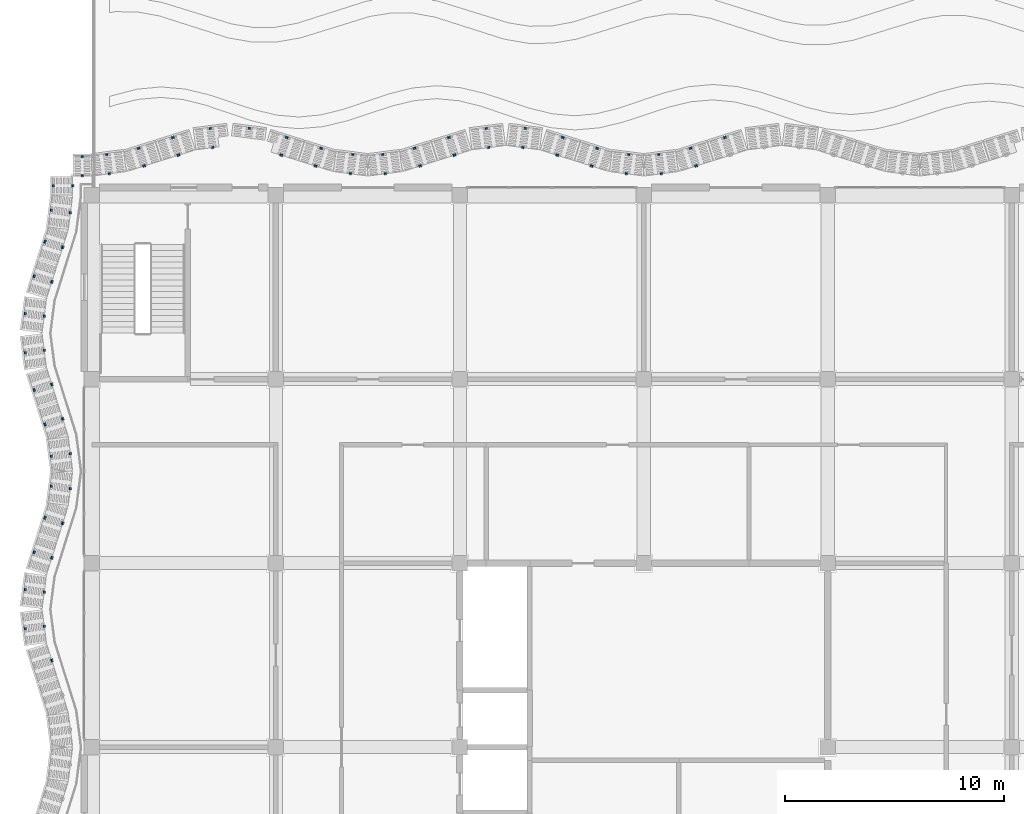
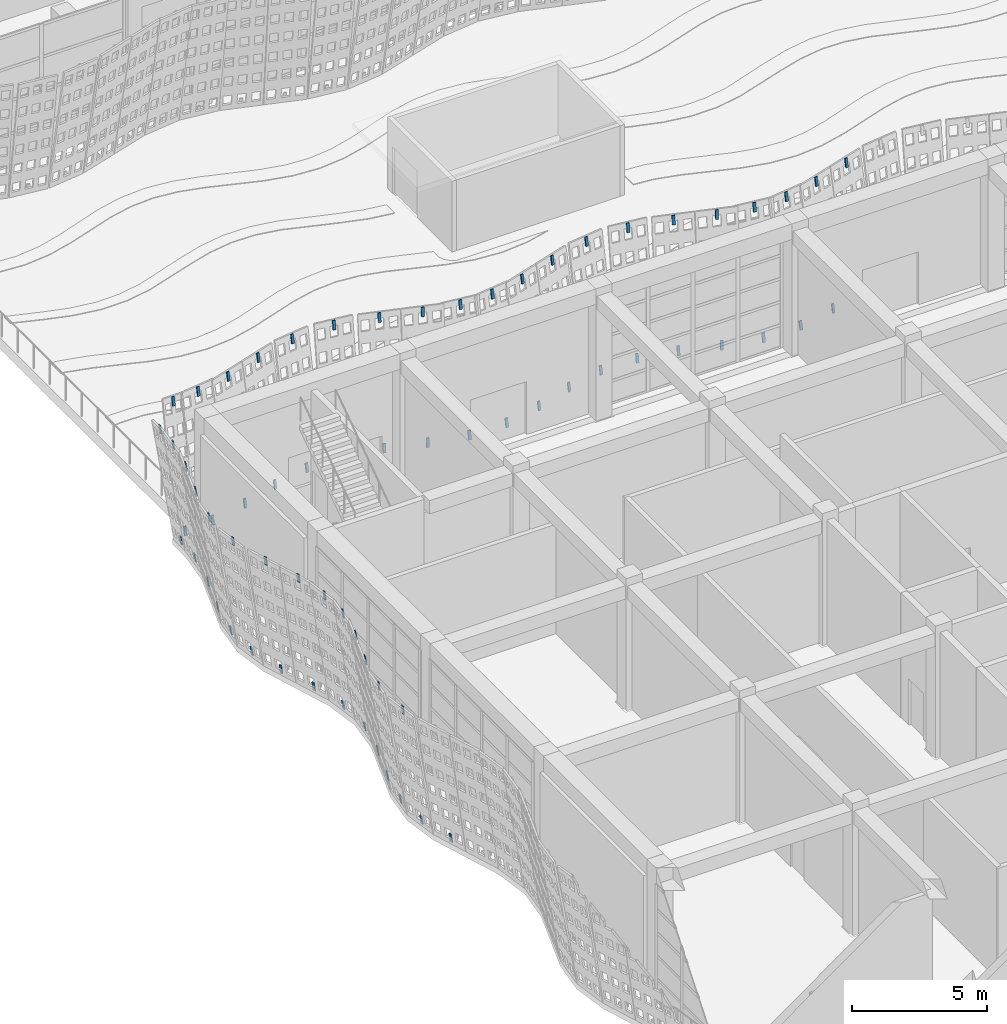
# One storey, part 137 of 210: 67 discrete accessories.
"""IFC4 building model written with IfcOpenShell, lengths in metres."""

from ifc_helpers import new_model, si_unit, direction, frame, origin, origin_2d, place, context, subcontext, project, spatial, rectangle, extrude, material, material_profile, profile_set, type_object, element, save


model = new_model("IFC4")

# Units and contexts
model_context = context("Model", 3, precision=1e-05, world=origin(), true_north=direction((0.0, 1.0)))
body_context = subcontext(model_context, "Body", "Model", "MODEL_VIEW")
ifc_project = project(units=[si_unit("LENGTHUNIT", "METRE"), si_unit("AREAUNIT", "SQUARE_METRE"), si_unit("VOLUMEUNIT", "CUBIC_METRE"), si_unit("PLANEANGLEUNIT", "RADIAN"), si_unit("MASSUNIT", "GRAM", prefix="KILO")], contexts=[model_context])

# Site, building, storey
site_placement = place(None, origin())
site = spatial("IfcSite", under=ifc_project, at=site_placement, CompositionType="ELEMENT")
building_placement = place(site_placement, origin())
building = spatial("IfcBuilding", under=site, at=building_placement, Name="Rain Tree Exposition and Congress Centre", CompositionType="ELEMENT")
storey_placement = place(building_placement, origin())
storey = spatial("IfcBuildingStorey", under=building, at=storey_placement, Name="L00", CompositionType="ELEMENT", Elevation=0.0)

# Discrete accessories
ifc_material = material(Name="Steel S355J2", Category="steel")
ifc_material_profile = material_profile(ifc_material, rectangle(XDim=0.1201171875, YDim=0.050048828125, at=origin_2d()), Name="Flat bar 120x50")
ifc_profile_set = profile_set([ifc_material_profile], Name="Steel S355J2")
discrete_accessory_type = type_object("IfcDiscreteAccessoryType", Name="Screen bracket 120x50", PredefinedType="BRACKET", material=ifc_profile_set)
for number, where, z_axis, x_axis, name in (
    (1, (28.91259765625, 53.001708984375, 5.35107421875), (-0.047005524996, 0.148952572715, 0.987726486281), (-0.953641715318, -0.300944311801, 0.0), "wing/bracket/L00/0821t"),
    (2, (27.3408203125, 52.5078125, 5.35107421875), (-0.047005524996, 0.148952572715, 0.987726486281), (-0.953641715318, -0.300944311801, 0.0), "wing/bracket/L00/0831t"),
    (3, (27.593505859375, 51.70361328125, 0.00390625), (-0.046400597335, 0.148359804637, 0.987844295896), (-0.954410065476, -0.298498621301, 0.0), "wing/bracket/L00/0831b"),
    (4, (25.8876953125, 52.21875, 5.351318359375), (-0.020751433487, 0.159908105102, 0.986913763168), (-0.991684624977, -0.128691897898, 0.0), "wing/bracket/L00/0841t"),
):
    element("IfcDiscreteAccessory", number, at=place(storey_placement, frame(where, z_axis=z_axis, x_axis=x_axis)), inside=storey, type_object=discrete_accessory_type, Name=name, PredefinedType="BRACKET", context=body_context, shape_type="SweptSolid", body=[
        extrude(rectangle(XDim=0.1201171875, YDim=0.050048828125, at=origin_2d()), origin(), (0.0, 0.0, 1.0), 0.39990234375),
    ])
discrete_accessory_1_placement = place(storey_placement, frame((26.0009765625, 51.349609375, 0.00390625), z_axis=(-0.021359406786, 0.160500685277, 0.986804593507), x_axis=(-0.991260787426, -0.131916834829, 0.0)))
element("IfcDiscreteAccessory", 5, at=discrete_accessory_1_placement, inside=storey, type_object=discrete_accessory_type, Name="wing/bracket/L00/0841b", PredefinedType="BRACKET", context=body_context, shape_type="SweptSolid", body=[
    extrude(rectangle(XDim=0.1201171875, YDim=0.050048828125, at=origin_2d()), origin(), (0.0, 0.0, 1.0), 0.400146484375),
])
discrete_accessory_2_placement = place(storey_placement, frame((24.51220703125, 52.21875, 5.351318359375), z_axis=(0.020751433487, 0.159908105102, 0.986913763168), x_axis=(-0.991684624977, 0.128691897898, 0.0)))
element("IfcDiscreteAccessory", 6, at=discrete_accessory_2_placement, inside=storey, type_object=discrete_accessory_type, Name="wing/bracket/L00/0851t", PredefinedType="BRACKET", context=body_context, shape_type="SweptSolid", body=[
    extrude(rectangle(XDim=0.1201171875, YDim=0.050048828125, at=origin_2d()), origin(), (0.0, 0.0, 1.0), 0.39990234375),
])
discrete_accessory_3_placement = place(storey_placement, frame((24.399169921875, 51.349609375, 0.00390625), z_axis=(0.020749404626, 0.160502747552, 0.986817272972), x_axis=(-0.991746960377, 0.128210633661, 0.0)))
element("IfcDiscreteAccessory", 7, at=discrete_accessory_3_placement, inside=storey, type_object=discrete_accessory_type, Name="wing/bracket/L00/0851b", PredefinedType="BRACKET", context=body_context, shape_type="SweptSolid", body=[
    extrude(rectangle(XDim=0.1201171875, YDim=0.050048828125, at=origin_2d()), origin(), (0.0, 0.0, 1.0), 0.400146484375),
])
for number, where, z_axis, x_axis, name in (
    (8, (23.05908203125, 52.5078125, 5.35107421875), (0.047005524996, 0.148952572715, 0.987726486281), (-0.953641715318, 0.300944311801, 0.0), "wing/bracket/L00/0861t"),
    (9, (22.806396484375, 51.70361328125, 0.00390625), (0.047009791021, 0.14835557426, 0.987816128201), (-0.953285755706, 0.302069971973, 0.0), "wing/bracket/L00/0861b"),
    (10, (21.487548828125, 53.001708984375, 5.35107421875), (0.046396386353, 0.148956819344, 0.987754646309), (-0.954758063246, 0.297383659044, 0.0), "wing/bracket/L00/0871t"),
    (11, (21.23486328125, 52.197509765625, 0.00390625), (0.046396386353, 0.148956819344, 0.987754646309), (-0.954758063246, 0.297383659044, 0.0), "wing/bracket/L00/0871b"),
):
    element("IfcDiscreteAccessory", number, at=place(storey_placement, frame(where, z_axis=z_axis, x_axis=x_axis)), inside=storey, type_object=discrete_accessory_type, Name=name, PredefinedType="BRACKET", context=body_context, shape_type="SweptSolid", body=[
        extrude(rectangle(XDim=0.1201171875, YDim=0.050048828125, at=origin_2d()), origin(), (0.0, 0.0, 1.0), 0.39990234375),
    ])
for number, where, z_axis, x_axis, name in (
    (12, (19.788818359375, 53.413330078125, 5.351318359375), (0.021359406786, 0.160500685277, 0.986804593507), (-0.991260787426, 0.131916834829, 0.0), "wing/bracket/L00/0881t"),
    (13, (19.67578125, 52.54443359375, 0.00390625), (0.020749404626, 0.160502747552, 0.986817272972), (-0.991746960377, 0.128210633661, 0.0), "wing/bracket/L00/0881b"),
    (14, (18.010986328125, 53.413330078125, 5.351318359375), (-0.020749404626, 0.160502747552, 0.986817272972), (-0.991746960377, -0.128210633661, 0.0), "wing/bracket/L00/0891t"),
    (15, (18.124267578125, 52.54443359375, 0.00390625), (-0.020749404626, 0.160502747552, 0.986817272972), (-0.991746960377, -0.128210633661, 0.0), "wing/bracket/L00/0891b"),
):
    element("IfcDiscreteAccessory", number, at=place(storey_placement, frame(where, z_axis=z_axis, x_axis=x_axis)), inside=storey, type_object=discrete_accessory_type, Name=name, PredefinedType="BRACKET", context=body_context, shape_type="SweptSolid", body=[
        extrude(rectangle(XDim=0.1201171875, YDim=0.050048828125, at=origin_2d()), origin(), (0.0, 0.0, 1.0), 0.400146484375),
    ])
for number, where, z_axis, x_axis, name in (
    (16, (16.3125, 53.001708984375, 5.35107421875), (-0.047005524996, 0.148952572715, 0.987726486281), (-0.953641715318, -0.300944311801, 0.0), "wing/bracket/L00/0901t"),
    (17, (16.565185546875, 52.197509765625, 0.00390625), (-0.046396386353, 0.148956819344, 0.987754646309), (-0.954758063246, -0.297383659044, 0.0), "wing/bracket/L00/0901b"),
    (18, (14.74072265625, 52.5078125, 5.35107421875), (-0.046396386353, 0.148956819344, 0.987754646309), (-0.954758063246, -0.297383659044, 0.0), "wing/bracket/L00/0911t"),
    (19, (14.99365234375, 51.70361328125, 0.00390625), (-0.047009791021, 0.14835557426, 0.987816128201), (-0.953285755706, -0.302069971973, 0.0), "wing/bracket/L00/0911b"),
    (20, (13.287841796875, 52.21875, 5.351318359375), (-0.021361495238, 0.159906050065, 0.986901079984), (-0.991194828778, -0.132411522928, 0.0), "wing/bracket/L00/0921t"),
):
    element("IfcDiscreteAccessory", number, at=place(storey_placement, frame(where, z_axis=z_axis, x_axis=x_axis)), inside=storey, type_object=discrete_accessory_type, Name=name, PredefinedType="BRACKET", context=body_context, shape_type="SweptSolid", body=[
        extrude(rectangle(XDim=0.1201171875, YDim=0.050048828125, at=origin_2d()), origin(), (0.0, 0.0, 1.0), 0.39990234375),
    ])
discrete_accessory_4_placement = place(storey_placement, frame((13.40087890625, 51.349609375, 0.00390625), z_axis=(-0.020749404626, 0.160502747552, 0.986817272972), x_axis=(-0.991746960377, -0.128210633661, 0.0)))
element("IfcDiscreteAccessory", 21, at=discrete_accessory_4_placement, inside=storey, type_object=discrete_accessory_type, Name="wing/bracket/L00/0921b", PredefinedType="BRACKET", context=body_context, shape_type="SweptSolid", body=[
    extrude(rectangle(XDim=0.1201171875, YDim=0.050048828125, at=origin_2d()), origin(), (0.0, 0.0, 1.0), 0.400146484375),
])
discrete_accessory_5_placement = place(storey_placement, frame((11.912109375, 52.21875, 5.351318359375), z_axis=(0.021361495238, 0.159906050065, 0.986901079984), x_axis=(-0.991194828778, 0.132411522928, 0.0)))
element("IfcDiscreteAccessory", 22, at=discrete_accessory_5_placement, inside=storey, type_object=discrete_accessory_type, Name="wing/bracket/L00/0931t", PredefinedType="BRACKET", context=body_context, shape_type="SweptSolid", body=[
    extrude(rectangle(XDim=0.1201171875, YDim=0.050048828125, at=origin_2d()), origin(), (0.0, 0.0, 1.0), 0.39990234375),
])
discrete_accessory_6_placement = place(storey_placement, frame((11.799072265625, 51.349609375, 0.00390625), z_axis=(0.021359406786, 0.160500685277, 0.986804593507), x_axis=(-0.991260787426, 0.131916834829, 0.0)))
element("IfcDiscreteAccessory", 23, at=discrete_accessory_6_placement, inside=storey, type_object=discrete_accessory_type, Name="wing/bracket/L00/0931b", PredefinedType="BRACKET", context=body_context, shape_type="SweptSolid", body=[
    extrude(rectangle(XDim=0.1201171875, YDim=0.050048828125, at=origin_2d()), origin(), (0.0, 0.0, 1.0), 0.400146484375),
])
for number, where, z_axis, x_axis, name in (
    (24, (10.459228515625, 52.5078125, 5.35107421875), (0.046396386353, 0.148956819344, 0.987754646309), (-0.954758063246, 0.297383659044, 0.0), "wing/bracket/L00/0941t"),
    (25, (10.206298828125, 51.70361328125, 0.00390625), (0.047009791021, 0.14835557426, 0.987816128201), (-0.953285755706, 0.302069971973, 0.0), "wing/bracket/L00/0941b"),
    (26, (8.887451171875, 53.001708984375, 5.35107421875), (0.047005524996, 0.148952572715, 0.987726486281), (-0.953641715318, 0.300944311801, 0.0), "wing/bracket/L00/0951t"),
    (27, (8.634765625, 52.197509765625, 0.00390625), (0.046396386353, 0.148956819344, 0.987754646309), (-0.954758063246, 0.297383659044, 0.0), "wing/bracket/L00/0951b"),
):
    element("IfcDiscreteAccessory", number, at=place(storey_placement, frame(where, z_axis=z_axis, x_axis=x_axis)), inside=storey, type_object=discrete_accessory_type, Name=name, PredefinedType="BRACKET", context=body_context, shape_type="SweptSolid", body=[
        extrude(rectangle(XDim=0.1201171875, YDim=0.050048828125, at=origin_2d()), origin(), (0.0, 0.0, 1.0), 0.39990234375),
    ])
for number, where, z_axis, x_axis, name in (
    (28, (7.18896484375, 53.413330078125, 5.351318359375), (0.020749404626, 0.160502747552, 0.986817272972), (-0.991746960377, 0.128210633661, 0.0), "wing/bracket/L00/0961t"),
    (29, (5.4111328125, 53.413330078125, 5.351318359375), (-0.021359406786, 0.160500685277, 0.986804593507), (-0.991260787426, -0.131916834829, 0.0), "wing/bracket/L00/0971t"),
    (30, (5.524169921875, 52.54443359375, 0.00390625), (-0.020749404626, 0.160502747552, 0.986817272972), (-0.991746960377, -0.128210633661, 0.0), "wing/bracket/L00/0971b"),
):
    element("IfcDiscreteAccessory", number, at=place(storey_placement, frame(where, z_axis=z_axis, x_axis=x_axis)), inside=storey, type_object=discrete_accessory_type, Name=name, PredefinedType="BRACKET", context=body_context, shape_type="SweptSolid", body=[
        extrude(rectangle(XDim=0.1201171875, YDim=0.050048828125, at=origin_2d()), origin(), (0.0, 0.0, 1.0), 0.400146484375),
    ])
for number, where, z_axis, x_axis, name in (
    (31, (3.71240234375, 53.001708984375, 5.35107421875), (-0.046396386353, 0.148956819344, 0.987754646309), (-0.954758063246, -0.297383659044, 0.0), "wing/bracket/L00/0981t"),
    (32, (3.965087890625, 52.197509765625, 0.00390625), (-0.046396386353, 0.148956819344, 0.987754646309), (-0.954758063246, -0.297383659044, 0.0), "wing/bracket/L00/0981b"),
    (33, (2.140869140625, 52.5078125, 5.35107421875), (-0.047005524996, 0.148952572715, 0.987726486281), (-0.953641715318, -0.300944311801, 0.0), "wing/bracket/L00/0991t"),
    (34, (2.3935546875, 51.70361328125, 0.00390625), (-0.046400597335, 0.148359804637, 0.987844295896), (-0.954410065476, -0.298498621301, 0.0), "wing/bracket/L00/0991b"),
    (35, (0.687744140625, 52.21875, 5.351318359375), (-0.020751433487, 0.159908105102, 0.986913763168), (-0.991684624977, -0.128691897898, 0.0), "wing/bracket/L00/1001t"),
):
    element("IfcDiscreteAccessory", number, at=place(storey_placement, frame(where, z_axis=z_axis, x_axis=x_axis)), inside=storey, type_object=discrete_accessory_type, Name=name, PredefinedType="BRACKET", context=body_context, shape_type="SweptSolid", body=[
        extrude(rectangle(XDim=0.1201171875, YDim=0.050048828125, at=origin_2d()), origin(), (0.0, 0.0, 1.0), 0.39990234375),
    ])
discrete_accessory_7_placement = place(storey_placement, frame((0.80078125, 51.349609375, 0.00390625), z_axis=(-0.020749404626, 0.160502747552, 0.986817272972), x_axis=(-0.991746960377, -0.128210633661, 0.0)))
element("IfcDiscreteAccessory", 36, at=discrete_accessory_7_placement, inside=storey, type_object=discrete_accessory_type, Name="wing/bracket/L00/1001b", PredefinedType="BRACKET", context=body_context, shape_type="SweptSolid", body=[
    extrude(rectangle(XDim=0.1201171875, YDim=0.050048828125, at=origin_2d()), origin(), (0.0, 0.0, 1.0), 0.400146484375),
])
for number, where, z_axis, x_axis, name in (
    (37, (-0.43505859375, 52.1298828125, 5.351318359375), (0.0, 0.163606968355, 0.986525600228), (-1.0, 0.0, 0.0), "wing/bracket/L00/1011t"),
    (38, (-0.43505859375, 51.246337890625, 0.004150390625), (0.0, 0.163012746375, 0.986623963078), (-1.0, 0.0, 0.0), "wing/bracket/L00/1011b"),
    (39, (-1.72998046875, 50.8349609375, 5.351318359375), (-0.163012746375, 0.0, 0.986623963078), (0.0, -1.0, 0.0), "wing/bracket/L00/1021t"),
    (40, (-0.84619140625, 50.8349609375, 0.004150390625), (-0.163606968355, 0.0, 0.986525600228), (0.0, -1.0, 0.0), "wing/bracket/L00/1021b"),
):
    element("IfcDiscreteAccessory", number, at=place(storey_placement, frame(where, z_axis=z_axis, x_axis=x_axis)), inside=storey, type_object=discrete_accessory_type, Name=name, PredefinedType="BRACKET", context=body_context, shape_type="SweptSolid", body=[
        extrude(rectangle(XDim=0.1201171875, YDim=0.050048828125, at=origin_2d()), origin(), (0.0, 0.0, 1.0), 0.39990234375),
    ])
for number, where, z_axis, x_axis, name in (
    (41, (-1.818603515625, 49.712158203125, 5.351318359375), (-0.160500685277, 0.021359406786, 0.986804593507), (-0.131916834829, -0.991260787426, 0.0), "wing/bracket/L00/1031t"),
    (42, (-0.94970703125, 49.59912109375, 0.00390625), (-0.160502747552, 0.020749404626, 0.986817272972), (-0.128210633661, -0.991746960377, 0.0), "wing/bracket/L00/1031b"),
):
    element("IfcDiscreteAccessory", number, at=place(storey_placement, frame(where, z_axis=z_axis, x_axis=x_axis)), inside=storey, type_object=discrete_accessory_type, Name=name, PredefinedType="BRACKET", context=body_context, shape_type="SweptSolid", body=[
        extrude(rectangle(XDim=0.1201171875, YDim=0.050048828125, at=origin_2d()), origin(), (0.0, 0.0, 1.0), 0.400146484375),
    ])
for number, where, z_axis, x_axis, name in (
    (43, (-2.10791015625, 48.25927734375, 5.35107421875), (-0.148359804637, 0.046400597335, 0.987844295896), (-0.298498621301, -0.954410065476, 0.0), "wing/bracket/L00/1041t"),
    (44, (-1.3037109375, 48.00634765625, 0.00390625), (-0.14835557426, 0.047009791021, 0.987816128201), (-0.302069971973, -0.953285755706, 0.0), "wing/bracket/L00/1041b"),
    (45, (-2.601806640625, 46.6875, 5.35107421875), (-0.148952572715, 0.047005524996, 0.987726486281), (-0.300944311801, -0.953641715318, 0.0), "wing/bracket/L00/1051t"),
    (46, (-1.797607421875, 46.434814453125, 0.00390625), (-0.148359804637, 0.046400597335, 0.987844295896), (-0.298498621301, -0.954410065476, 0.0), "wing/bracket/L00/1051b"),
):
    element("IfcDiscreteAccessory", number, at=place(storey_placement, frame(where, z_axis=z_axis, x_axis=x_axis)), inside=storey, type_object=discrete_accessory_type, Name=name, PredefinedType="BRACKET", context=body_context, shape_type="SweptSolid", body=[
        extrude(rectangle(XDim=0.1201171875, YDim=0.050048828125, at=origin_2d()), origin(), (0.0, 0.0, 1.0), 0.39990234375),
    ])
for number, where, z_axis, x_axis, name in (
    (47, (-3.013427734375, 44.989013671875, 5.351318359375), (-0.160502747552, 0.020749404626, 0.986817272972), (-0.128210633661, -0.991746960377, 0.0), "wing/bracket/L00/1061t"),
    (48, (-2.144287109375, 44.875732421875, 0.00390625), (-0.160502747552, 0.020749404626, 0.986817272972), (-0.128210633661, -0.991746960377, 0.0), "wing/bracket/L00/1061b"),
    (49, (-3.013427734375, 43.211181640625, 5.351318359375), (-0.160500685277, -0.021359406786, 0.986804593507), (0.131916834829, -0.991260787426, 0.0), "wing/bracket/L00/1071t"),
    (50, (-2.144287109375, 43.32421875, 0.00390625), (-0.160502747552, -0.020749404626, 0.986817272972), (0.128210633661, -0.991746960377, 0.0), "wing/bracket/L00/1071b"),
):
    element("IfcDiscreteAccessory", number, at=place(storey_placement, frame(where, z_axis=z_axis, x_axis=x_axis)), inside=storey, type_object=discrete_accessory_type, Name=name, PredefinedType="BRACKET", context=body_context, shape_type="SweptSolid", body=[
        extrude(rectangle(XDim=0.1201171875, YDim=0.050048828125, at=origin_2d()), origin(), (0.0, 0.0, 1.0), 0.400146484375),
    ])
for number, where, z_axis, x_axis, name in (
    (51, (-2.601806640625, 41.512451171875, 5.35107421875), (-0.148956819344, -0.046396386353, 0.987754646309), (0.297383659044, -0.954758063246, 0.0), "wing/bracket/L00/1081t"),
    (52, (-1.797607421875, 41.76513671875, 0.00390625), (-0.148359804637, -0.046400597335, 0.987844295896), (0.298498621301, -0.954410065476, 0.0), "wing/bracket/L00/1081b"),
    (53, (-2.10791015625, 39.94091796875, 5.35107421875), (-0.14835557426, -0.047009791021, 0.987816128201), (0.302069971973, -0.953285755706, 0.0), "wing/bracket/L00/1091t"),
    (54, (-1.3037109375, 40.193603515625, 0.00390625), (-0.14835557426, -0.047009791021, 0.987816128201), (0.302069971973, -0.953285755706, 0.0), "wing/bracket/L00/1091b"),
):
    element("IfcDiscreteAccessory", number, at=place(storey_placement, frame(where, z_axis=z_axis, x_axis=x_axis)), inside=storey, type_object=discrete_accessory_type, Name=name, PredefinedType="BRACKET", context=body_context, shape_type="SweptSolid", body=[
        extrude(rectangle(XDim=0.1201171875, YDim=0.050048828125, at=origin_2d()), origin(), (0.0, 0.0, 1.0), 0.39990234375),
    ])
for number, where, z_axis, x_axis, name in (
    (55, (-1.818603515625, 38.48779296875, 5.351318359375), (-0.160502747552, -0.020749404626, 0.986817272972), (0.128210633661, -0.991746960377, 0.0), "wing/bracket/L00/1101t"),
    (56, (-0.94970703125, 38.600830078125, 0.00390625), (-0.160502747552, -0.020749404626, 0.986817272972), (0.128210633661, -0.991746960377, 0.0), "wing/bracket/L00/1101b"),
    (57, (-1.818603515625, 37.1123046875, 5.351318359375), (-0.160502747552, 0.020749404626, 0.986817272972), (-0.128210633661, -0.991746960377, 0.0), "wing/bracket/L00/1111t"),
    (58, (-0.94970703125, 36.9990234375, 0.00390625), (-0.160500685277, 0.021359406786, 0.986804593507), (-0.131916834829, -0.991260787426, 0.0), "wing/bracket/L00/1111b"),
):
    element("IfcDiscreteAccessory", number, at=place(storey_placement, frame(where, z_axis=z_axis, x_axis=x_axis)), inside=storey, type_object=discrete_accessory_type, Name=name, PredefinedType="BRACKET", context=body_context, shape_type="SweptSolid", body=[
        extrude(rectangle(XDim=0.1201171875, YDim=0.050048828125, at=origin_2d()), origin(), (0.0, 0.0, 1.0), 0.400146484375),
    ])
for number, where, z_axis, x_axis, name in (
    (59, (-2.10791015625, 35.6591796875, 5.35107421875), (-0.14835557426, 0.047009791021, 0.987816128201), (-0.302069971973, -0.953285755706, 0.0), "wing/bracket/L00/1121t"),
    (60, (-1.3037109375, 35.406494140625, 0.00390625), (-0.148359804637, 0.046400597335, 0.987844295896), (-0.298498621301, -0.954410065476, 0.0), "wing/bracket/L00/1121b"),
    (61, (-2.601806640625, 34.08740234375, 5.35107421875), (-0.148952572715, 0.047005524996, 0.987726486281), (-0.300944311801, -0.953641715318, 0.0), "wing/bracket/L00/1131t"),
    (62, (-1.797607421875, 33.834716796875, 0.00390625), (-0.14835557426, 0.047009791021, 0.987816128201), (-0.302069971973, -0.953285755706, 0.0), "wing/bracket/L00/1131b"),
):
    element("IfcDiscreteAccessory", number, at=place(storey_placement, frame(where, z_axis=z_axis, x_axis=x_axis)), inside=storey, type_object=discrete_accessory_type, Name=name, PredefinedType="BRACKET", context=body_context, shape_type="SweptSolid", body=[
        extrude(rectangle(XDim=0.1201171875, YDim=0.050048828125, at=origin_2d()), origin(), (0.0, 0.0, 1.0), 0.39990234375),
    ])
for number, where, z_axis, x_axis, name in (
    (63, (-3.013427734375, 32.388916015625, 5.351318359375), (-0.160502747552, 0.020749404626, 0.986817272972), (-0.128210633661, -0.991746960377, 0.0), "wing/bracket/L00/1141t"),
    (64, (-2.144287109375, 32.27587890625, 0.00390625), (-0.160502747552, 0.020749404626, 0.986817272972), (-0.128210633661, -0.991746960377, 0.0), "wing/bracket/L00/1141b"),
    (65, (-3.013427734375, 30.611083984375, 5.351318359375), (-0.160502747552, -0.020749404626, 0.986817272972), (0.128210633661, -0.991746960377, 0.0), "wing/bracket/L00/1151t"),
    (66, (-2.144287109375, 30.72412109375, 0.00390625), (-0.160502747552, -0.020749404626, 0.986817272972), (0.128210633661, -0.991746960377, 0.0), "wing/bracket/L00/1151b"),
):
    element("IfcDiscreteAccessory", number, at=place(storey_placement, frame(where, z_axis=z_axis, x_axis=x_axis)), inside=storey, type_object=discrete_accessory_type, Name=name, PredefinedType="BRACKET", context=body_context, shape_type="SweptSolid", body=[
        extrude(rectangle(XDim=0.1201171875, YDim=0.050048828125, at=origin_2d()), origin(), (0.0, 0.0, 1.0), 0.400146484375),
    ])
discrete_accessory_8_placement = place(storey_placement, frame((-1.797607421875, 29.165283203125, 0.00390625), z_axis=(-0.14835557426, -0.047009791021, 0.987816128201), x_axis=(0.302069971973, -0.953285755706, 0.0)))
element("IfcDiscreteAccessory", 67, at=discrete_accessory_8_placement, inside=storey, type_object=discrete_accessory_type, Name="wing/bracket/L00/1161b", PredefinedType="BRACKET", context=body_context, shape_type="SweptSolid", body=[
    extrude(rectangle(XDim=0.1201171875, YDim=0.050048828125, at=origin_2d()), origin(), (0.0, 0.0, 1.0), 0.39990234375),
])

save(model, "model.ifc")
